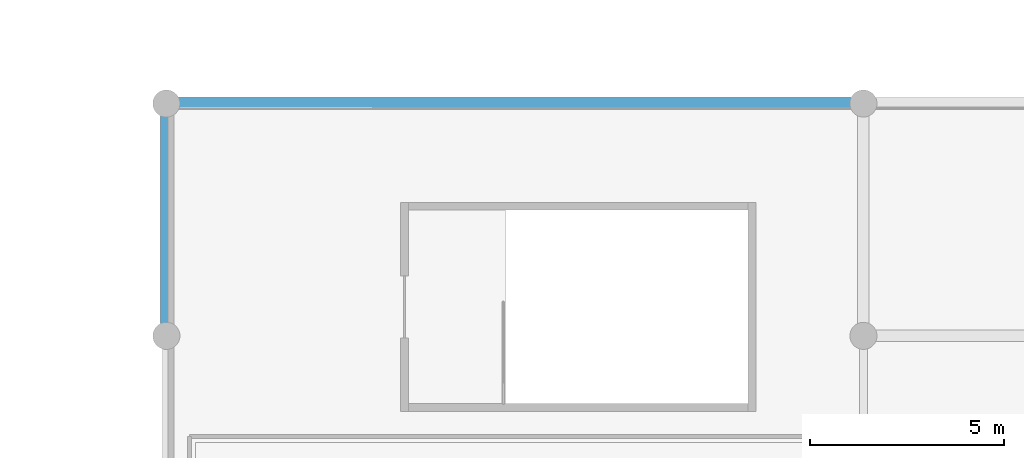
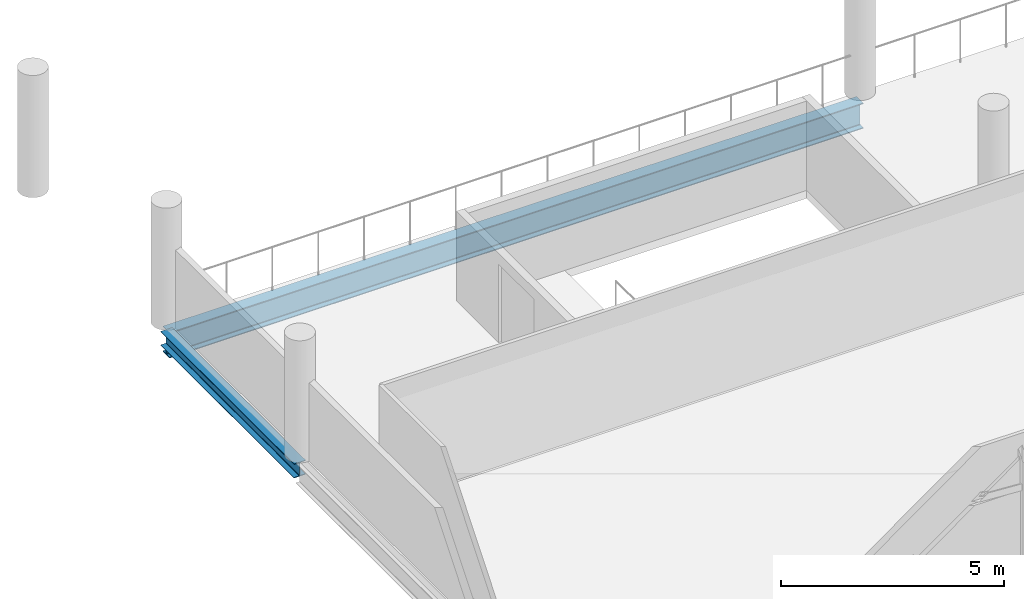
# One storey, part 28 of 116: 2 beams.
"""IFC4 building model written with IfcOpenShell, lengths in metres."""

from ifc_helpers import new_model, si_unit, direction, frame, origin, origin_2d, place, context, subcontext, project, spatial, i_section, extrude, material, material_profile, profile_set, type_object, element, save


model = new_model("IFC4")

# Units and contexts
model_context = context("Model", 3, precision=1e-05, world=origin(), true_north=direction((0.0, 1.0)))
body_context = subcontext(model_context, "Body", "Model", "MODEL_VIEW")
ifc_project = project(units=[si_unit("LENGTHUNIT", "METRE"), si_unit("AREAUNIT", "SQUARE_METRE"), si_unit("VOLUMEUNIT", "CUBIC_METRE"), si_unit("PLANEANGLEUNIT", "RADIAN"), si_unit("MASSUNIT", "GRAM", prefix="KILO")], contexts=[model_context])

# Site, building, storey
site_placement = place(None, origin())
site = spatial("IfcSite", under=ifc_project, at=site_placement, CompositionType="ELEMENT")
building_placement = place(site_placement, origin())
building = spatial("IfcBuilding", under=site, at=building_placement, Name="Chuanluo Vaults Station", CompositionType="ELEMENT")
storey_placement = place(building_placement, frame((0.0, 0.0, 10.800048828125)))
storey = spatial("IfcBuildingStorey", under=building, at=storey_placement, Name="L02", CompositionType="ELEMENT", Elevation=10.800048828125)

# Beams
ifc_material_1 = material(Name="Steel Q355C", Category="steel")
ifc_material_profile_1 = material_profile(ifc_material_1, i_section(OverallWidth=0.300048828125, OverallDepth=0.389892578125, WebThickness=0.010009765625, FlangeThickness=0.01611328125, FilletRadius=0.02001953125, at=origin_2d()))
ifc_profile_set_1 = profile_set([ifc_material_profile_1], Name="Steel Q355C")
beam_type_1 = type_object("IfcBeamType", Name="BM-GRD-400", PredefinedType="BEAM", material=ifc_profile_set_1)
beam_1_placement = place(storey_placement, frame((18.0, 30.0, -0.4150390625), z_axis=(0.0, 1.0, 0.0), x_axis=(-1.0, 0.0, 0.0)))
element("IfcBeam", 1, at=beam_1_placement, inside=storey, type_object=beam_type_1, Name="Floor girder BM:GY:L02:0621", PredefinedType="BEAM", context=body_context, shape_type="SweptSolid", body=[
    extrude(i_section(OverallWidth=0.300048828125, OverallDepth=0.389892578125, WebThickness=0.010009765625, FlangeThickness=0.01611328125, FilletRadius=0.02001953125, at=origin_2d()), origin(), (0.0, 0.0, 1.0), 6.0),
])
ifc_material_2 = material(Name="Steel Q355C", Category="steel")
ifc_material_profile_2 = material_profile(ifc_material_2, i_section(OverallWidth=0.300048828125, OverallDepth=0.699951171875, WebThickness=0.012939453125, FlangeThickness=0.02392578125, FilletRadius=0.02197265625, at=origin_2d()))
ifc_profile_set_2 = profile_set([ifc_material_profile_2], Name="Steel Q355C")
beam_type_2 = type_object("IfcBeamType", Name="BM-GRD-700", PredefinedType="USERDEFINED", material=ifc_profile_set_2)
beam_2_placement = place(storey_placement, frame((18.0, 36.0, -0.570068359375), z_axis=(1.0, 0.0, 0.0), x_axis=(0.0, 1.0, 0.0)))
element("IfcBeam", 2, at=beam_2_placement, inside=storey, type_object=beam_type_2, Name="Floor girder BM:GX:L02:0562", ObjectType="GIRDER", PredefinedType="USERDEFINED", context=body_context, shape_type="SweptSolid", body=[
    extrude(i_section(OverallWidth=0.300048828125, OverallDepth=0.699951171875, WebThickness=0.012939453125, FlangeThickness=0.02392578125, FilletRadius=0.02197265625, at=origin_2d()), origin(), (0.0, 0.0, 1.0), 18.0),
])

save(model, "model.ifc")
